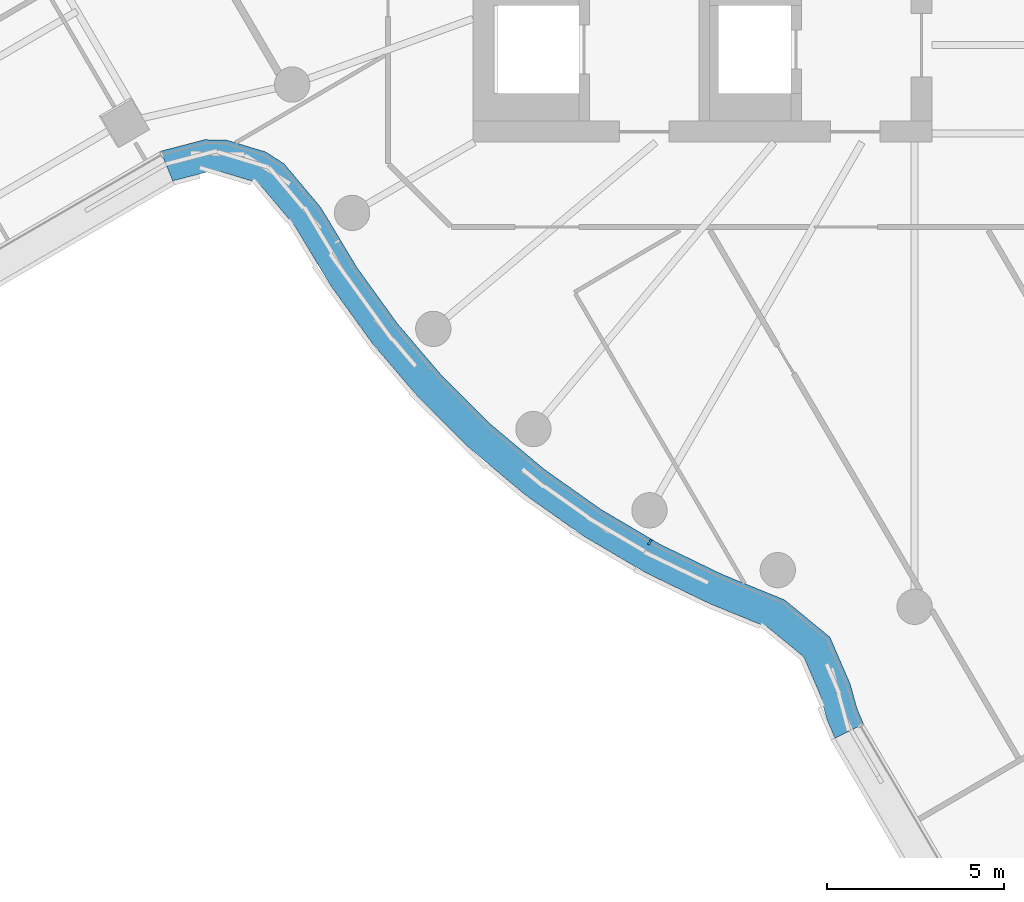
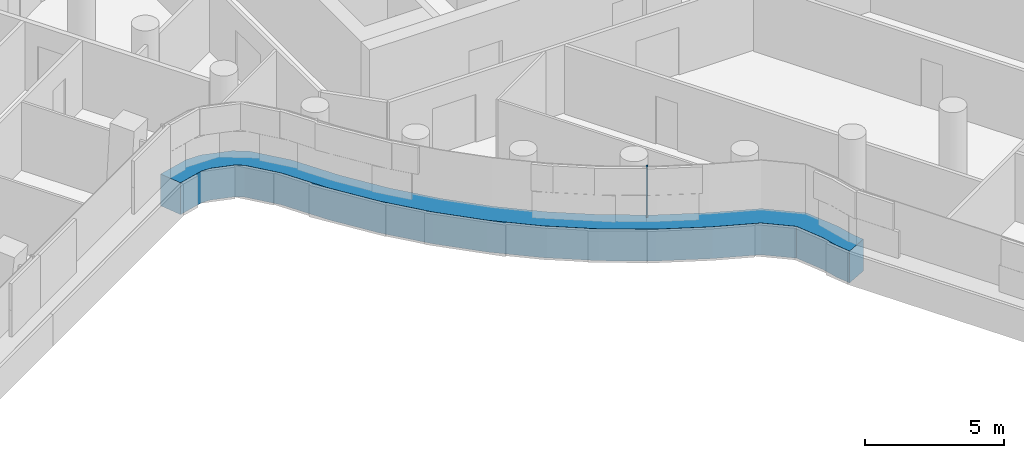
# One storey, part 5 of 35: 2 members, 1 element without a shape of its own.
"""IFC4 building model written with IfcOpenShell, lengths in metres."""

from ifc_helpers import new_model, si_unit, direction, frame, origin, origin_2d, place, context, subcontext, project, spatial, polyline, rectangle, outline, extrude, material, layer, layer_set, material_profile, profile_set, type_object, element, aggregate, save


model = new_model("IFC4")

# Units and contexts
model_context = context("Model", 3, precision=1e-05, world=origin(), true_north=direction((0.0, 1.0)))
body_context = subcontext(model_context, "Body", "Model", "MODEL_VIEW")
ifc_project = project(units=[si_unit("LENGTHUNIT", "METRE"), si_unit("AREAUNIT", "SQUARE_METRE"), si_unit("VOLUMEUNIT", "CUBIC_METRE"), si_unit("PLANEANGLEUNIT", "RADIAN"), si_unit("MASSUNIT", "GRAM", prefix="KILO")], contexts=[model_context])

# Site, building, storey
site_placement = place(None, origin())
site = spatial("IfcSite", under=ifc_project, at=site_placement, CompositionType="ELEMENT")
building_placement = place(site_placement, origin())
building = spatial("IfcBuilding", under=site, at=building_placement, Name="Tamarind Cross Interchange Tower", CompositionType="ELEMENT")
storey_placement = place(building_placement, frame((0.0, 0.0, 144.25)))
storey = spatial("IfcBuildingStorey", under=building, at=storey_placement, Name="L35", CompositionType="ELEMENT", Elevation=144.25)

# Curtain wall, members
ifc_material_1 = material(Name="Aluminium 6063-T6", Category="aluminium")
ifc_layer = layer(ifc_material_1, 0.159912109375)
ifc_layer_set = layer_set([ifc_layer], Name="Aluminium 6063-T6")
curtain_wall_type = type_object("IfcCurtainWallType", Name="Office curtain wall, 9.0 m bays", PredefinedType="NOTDEFINED", material=ifc_layer_set)
curtain_wall_placement = place(storey_placement, origin())
curtain_wall = element("IfcCurtainWall", 1, at=curtain_wall_placement, inside=storey, type_object=curtain_wall_type, Name="CWS-L35-02", PredefinedType="NOTDEFINED")
ifc_material_2 = material(Name="Aluminium and insulated spandrel panel", Category="aluminium")
member_type_1 = type_object("IfcMemberType", Name="Floor-edge blade transom", PredefinedType="USERDEFINED", material=ifc_material_2)
member_1_placement = place(storey_placement, origin())
member_1 = element("IfcMember", 2, at=member_1_placement, type_object=member_type_1, Name="CWT-L35-02", ObjectType="TRANSOM", PredefinedType="USERDEFINED", context=body_context, shape_type="SweptSolid", body=[
    extrude(outline(polyline([(-25.33837890625, -9.75390625), (-24.08642578125, -9.427978515625), (-23.47265625, -9.43994140625), (-22.36669921875, -9.7744140625), (-21.84521484375, -10.10693359375), (-20.802734375, -11.34814453125), (-19.78125, -13.045654296875), (-18.636474609375, -14.634521484375), (-17.3642578125, -16.12353515625), (-15.973388671875, -17.50244140625), (-14.4736328125, -18.76171875), (-12.874755859375, -19.892822265625), (-11.188232421875, -20.88818359375), (-9.42236328125, -21.741943359375), (-7.671142578125, -22.457275390625), (-6.39111328125, -23.510498046875), (-5.81298828125, -24.8505859375), (-5.6298828125, -25.5205078125), (-5.44287109375, -25.965576171875), (-6.24951171875, -26.36865234375), (-6.482421875, -25.81494140625), (-6.66455078125, -25.14892578125), (-7.131103515625, -24.06689453125), (-8.1376953125, -23.23876953125), (-9.78857421875, -22.564453125), (-11.613525390625, -21.68212890625), (-13.3642578125, -20.64892578125), (-15.023681640625, -19.474853515625), (-16.580810546875, -18.167724609375), (-18.0244140625, -16.736572265625), (-19.344970703125, -15.19091796875), (-20.533203125, -13.54150390625), (-21.537353515625, -11.872802734375), (-22.445556640625, -10.79150390625), (-22.74609375, -10.599853515625), (-23.6142578125, -10.33740234375), (-23.97998046875, -10.330322265625), (-24.992431640625, -10.59375), (-25.33837890625, -9.75390625)])), origin(), (0.0, 0.0, 1.0), 1.39990234375),
])
ifc_material_profile = material_profile(ifc_material_1, rectangle(XDim=0.06005859375, YDim=0.159912109375, at=origin_2d()), Name="Mullion CW1")
ifc_profile_set = profile_set([ifc_material_profile], Name="Aluminium 6063-T6")
member_type_2 = type_object("IfcMemberType", Name="Mullion CW1", PredefinedType="MULLION", material=ifc_profile_set)
member_2_placement = place(storey_placement, frame((-11.493408203125, -20.823974609375, 1.39990234375), z_axis=(0.0, 0.0, 1.0), x_axis=(0.861248933065, -0.508183308752, 0.0)))
member_2 = element("IfcMember", 3, at=member_2_placement, type_object=member_type_2, Name="CWM-L35-02-02", PredefinedType="MULLION", context=body_context, shape_type="SweptSolid", body=[
    extrude(rectangle(XDim=0.06005859375, YDim=0.159912109375, at=origin_2d()), origin(), (0.0, 0.0, 1.0), 2.210205078125),
])
aggregate(curtain_wall, [member_2, member_1])

save(model, "model.ifc")
